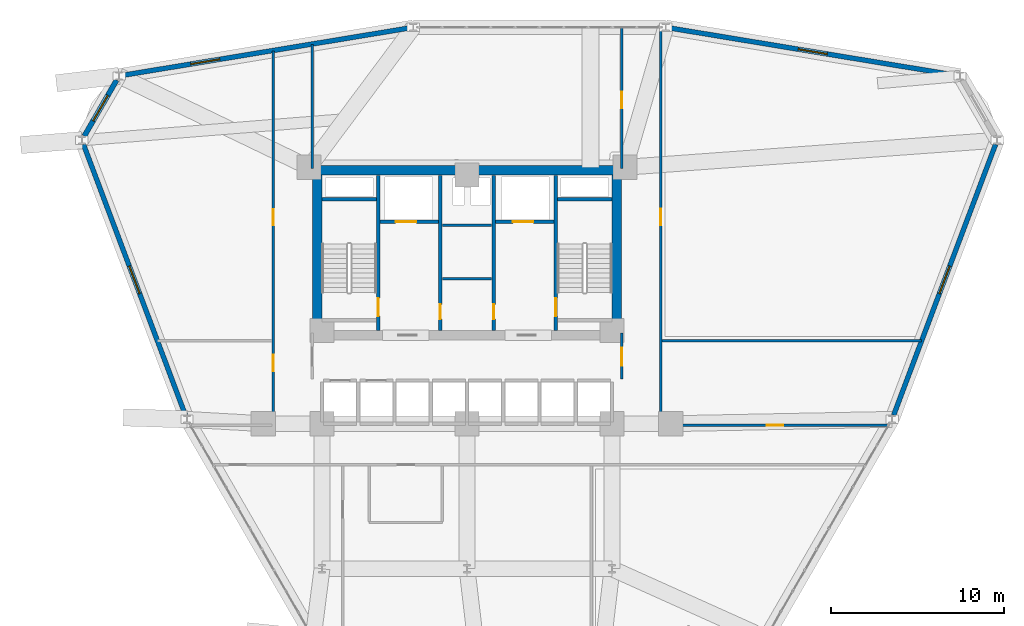
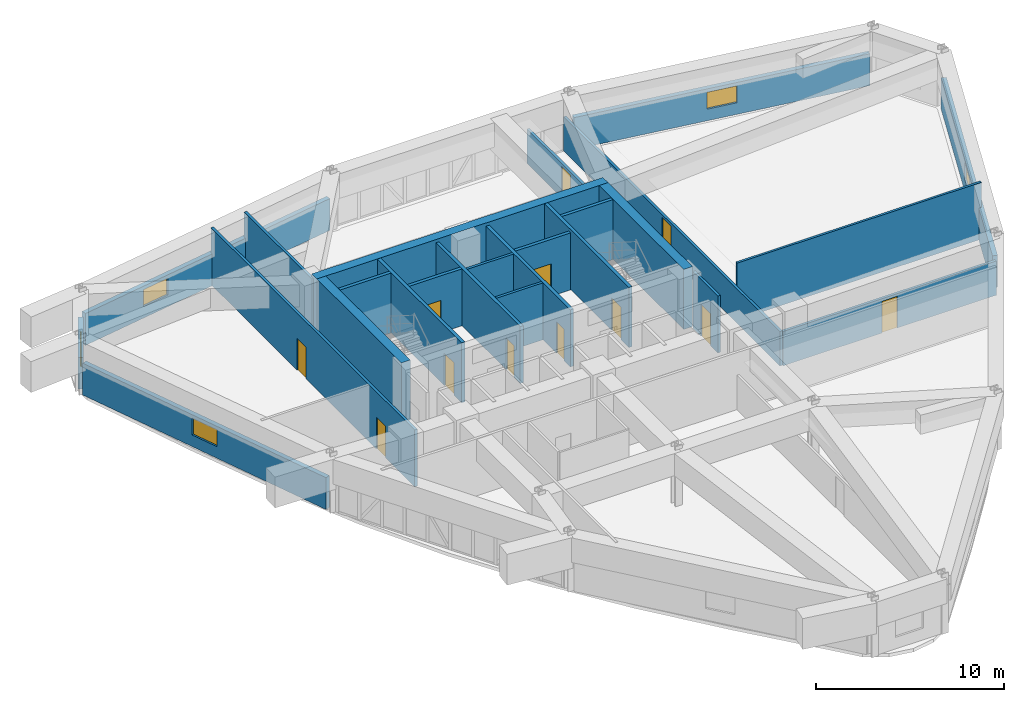
# One storey, part 15 of 18: 25 walls, 12 doors, 5 windows, 17 openings.
"""IFC4 building model written with IfcOpenShell, lengths in metres."""

import ifcopenshell
import ifcopenshell.guid

model = None  # the IFC model being written
_history = None  # IfcOwnerHistory: only IFC2X3 demands one
_inside = {}  # id of a spatial element -> (the spatial element, [elements in it])
_under = {}  # id of a project, library or spatial element -> (it, [spatial elements below it])
_declared = {}  # id of a project -> (the project, [libraries it declares])
_typed = {}  # id of a type object -> (the type object, [elements of that type])
_made_of = {}  # id of a material, layer set ... -> (it, [elements and type objects made of it])


def new_model(schema):
    """Start an empty IFC model of exactly this schema.

    Asked for "IFC4X3", IfcOpenShell would pick the latest addendum, in which some entities
    have other attributes; the version numbers below select the first issue.
    IFC2X3 requires an IfcOwnerHistory on every rooted entity: one is made here for all.
    """
    global model, _history
    if schema == "IFC4X3":
        model = ifcopenshell.file(schema_version=(4, 3, 0, 0))
    else:
        model = ifcopenshell.file(schema=schema)
    _inside.clear()
    _under.clear()
    _declared.clear()
    _typed.clear()
    _made_of.clear()
    _history = None
    if model.schema == "IFC2X3":
        org = make("IfcOrganization", Name="unknown")
        user = make(
            "IfcPersonAndOrganization",
            ThePerson=make("IfcPerson", FamilyName="unknown"),
            TheOrganization=org,
        )
        app = make(
            "IfcApplication",
            ApplicationDeveloper=org,
            Version="unknown",
            ApplicationFullName="unknown",
            ApplicationIdentifier="unknown",
        )
        _history = make(
            "IfcOwnerHistory",
            OwningUser=user,
            OwningApplication=app,
            ChangeAction="ADDED",
            CreationDate=0,
        )
    return model


def make(cls, **values):
    """One entity of the class cls with the attributes given. An attribute that is None is left unset."""
    return model.create_entity(
        cls, **{name: value for name, value in values.items() if value is not None}
    )


def rooted(cls, **values):
    """An entity with a GlobalId (a new one), such as an element, a storey or a relation."""
    return make(cls, GlobalId=ifcopenshell.guid.new(), OwnerHistory=_history, **values)


def si_unit(unit_type, name, prefix=None):
    """IfcSIUnit, for example si_unit("LENGTHUNIT", "METRE", prefix="MILLI")."""
    return make("IfcSIUnit", UnitType=unit_type, Prefix=prefix, Name=name)


def derived_unit(unit_type, elements):
    """IfcDerivedUnit: a product of units, each with its exponent."""
    return make(
        "IfcDerivedUnit",
        Elements=[
            make("IfcDerivedUnitElement", Unit=unit, Exponent=power)
            for unit, power in elements
        ],
        UnitType=unit_type,
    )


def assignment(units):
    """IfcUnitAssignment: the units of a project."""
    return None if units is None else make("IfcUnitAssignment", Units=units)


def point(xyz):
    """IfcCartesianPoint."""
    return None if xyz is None else make("IfcCartesianPoint", Coordinates=xyz)


def direction(xyz):
    """IfcDirection."""
    return None if xyz is None else make("IfcDirection", DirectionRatios=xyz)


def frame(location, z_axis=None, x_axis=None):
    """IfcAxis2Placement3D, a coordinate frame: its origin and axes. An axis left out is left unset."""
    return make(
        "IfcAxis2Placement3D",
        Location=point(location),
        Axis=direction(z_axis),
        RefDirection=direction(x_axis),
    )


def frame_2d(location, x_axis=None):
    """IfcAxis2Placement2D, a coordinate frame in the plane: its origin and x axis."""
    return make(
        "IfcAxis2Placement2D", Location=point(location), RefDirection=direction(x_axis)
    )


def origin():
    """The frame at (0, 0, 0) with its axes left unset."""
    return frame((0.0, 0.0, 0.0))


def place(relative_to, where):
    """IfcLocalPlacement: puts the frame where relative to a parent placement (None: the world)."""
    return make(
        "IfcLocalPlacement", PlacementRelTo=relative_to, RelativePlacement=where
    )


def context(
    kind, dimensions, precision=None, world=None, true_north=None, identifier=None
):
    """IfcGeometricRepresentationContext, for example the 3D "Model" context."""
    return make(
        "IfcGeometricRepresentationContext",
        ContextIdentifier=identifier,
        ContextType=kind,
        CoordinateSpaceDimension=dimensions,
        Precision=precision,
        WorldCoordinateSystem=world,
        TrueNorth=true_north,
    )


def subcontext(parent, identifier, kind, view, scale=None):
    """IfcGeometricRepresentationSubContext, for example "Body" below "Model"."""
    return make(
        "IfcGeometricRepresentationSubContext",
        ContextIdentifier=identifier,
        ContextType=kind,
        ParentContext=parent,
        TargetScale=scale,
        TargetView=view,
    )


def project(units=None, contexts=None):
    """IfcProject with its units and contexts."""
    return rooted(
        "IfcProject",
        Name="project",
        RepresentationContexts=contexts,
        UnitsInContext=assignment(units),
    )


def spatial(cls, under=None, at=None, **own):
    """A site, building, storey or space (cls), placed at a placement, below another one or the project."""
    s = rooted(cls, ObjectPlacement=at, **own)
    if under is not None:
        _under.setdefault(under.id(), (under, []))[1].append(s)
    return s


def profile(cls, at=None, kind="AREA", **sizes):
    """A parametric profile (cls). Its sizes go by their IFC names, for example OverallWidth=200.0."""
    return make(cls, ProfileType=kind, Position=at, **sizes)


def rectangle(**sizes):
    """IfcRectangleProfileDef."""
    return profile("IfcRectangleProfileDef", **sizes)


def extrude(swept, where, along, depth):
    """IfcExtrudedAreaSolid: the profile swept, set in the frame where, extruded along a direction by depth."""
    return make(
        "IfcExtrudedAreaSolid",
        SweptArea=swept,
        Position=where,
        ExtrudedDirection=direction(along),
        Depth=depth,
    )


def shape(context_of_items, identifier, shape_type, items):
    """IfcShapeRepresentation: the items that make up one representation, for example the "Body"."""
    return make(
        "IfcShapeRepresentation",
        ContextOfItems=context_of_items,
        RepresentationIdentifier=identifier,
        RepresentationType=shape_type,
        Items=items,
    )


def material(Name=None, Category=None):
    """IfcMaterial."""
    return make("IfcMaterial", Name=Name, Category=Category)


def layer(
    of_material, thickness, ventilated=None, Name=None, Category=None, Priority=None
):
    """IfcMaterialLayer: one layer of a wall or slab, of a material (None: an air gap)."""
    return make(
        "IfcMaterialLayer",
        Material=of_material,
        LayerThickness=thickness,
        IsVentilated=ventilated,
        Name=Name,
        Category=Category,
        Priority=Priority,
    )


def layer_set(layers, Name=None):
    """IfcMaterialLayerSet."""
    return make("IfcMaterialLayerSet", MaterialLayers=layers, LayerSetName=Name)


def made_of(thing, what):
    """Note that an element or type object is made of a material, layer set ...; save() writes the relation."""
    if what is not None:
        _made_of.setdefault(what.id(), (what, []))[1].append(thing)
    return thing


def type_object(cls, material=None, **own):
    """A type object (cls), such as IfcWallType, which elements share."""
    return made_of(rooted(cls, **own), material)


def element(
    cls,
    number,
    at=None,
    inside=None,
    cuts=None,
    type_object=None,
    material=None,
    context=None,
    identifier="Body",
    shape_type=None,
    held_by="IfcProductDefinitionShape",
    body=None,
    shapes=None,
    **own,
):
    """One element of the class cls, such as IfcWall. Its Tag is "e" and its number.

    at: its placement. inside: the storey or other place that contains it. cuts: it is an
    opening in that element (IfcRelVoidsElement). A single representation is given by context,
    identifier, shape_type and body (its items); several are given by shapes. held_by: the class
    of the entity that holds the representations. save() writes the other relations.
    """
    e = rooted(cls, Tag="e%d" % number, ObjectPlacement=at, **own)
    if body is not None:
        shapes = [shape(context, identifier, shape_type, body)]
    if shapes is not None:
        e.Representation = make(held_by, Representations=shapes)
    if inside is not None:
        _inside.setdefault(inside.id(), (inside, []))[1].append(e)
    if cuts is not None:
        rooted(
            "IfcRelVoidsElement", RelatingBuildingElement=cuts, RelatedOpeningElement=e
        )
    if type_object is not None:
        _typed.setdefault(type_object.id(), (type_object, []))[1].append(e)
    return made_of(e, material)


def fill(opening, filler):
    """IfcRelFillsElement: the door or window that sits in an opening."""
    return rooted(
        "IfcRelFillsElement",
        RelatingOpeningElement=opening,
        RelatedBuildingElement=filler,
    )


def aggregate(whole, parts):
    """IfcRelAggregates: a whole, such as a stair, and the parts it consists of."""
    return rooted("IfcRelAggregates", RelatingObject=whole, RelatedObjects=parts)


def save(model, path):
    """Write the relations noted so far, then the file.

    IfcRelAggregates (storeys below a building ...), IfcRelContainedInSpatialStructure (elements
    in a storey), IfcRelDefinesByType, IfcRelAssociatesMaterial and IfcRelDeclares: one each for
    every whole, place, type object, material and project.
    """
    for whole, parts in _under.values():
        aggregate(whole, parts)
    for where, things in _inside.values():
        rooted(
            "IfcRelContainedInSpatialStructure",
            RelatedElements=things,
            RelatingStructure=where,
        )
    for kind, things in _typed.values():
        rooted("IfcRelDefinesByType", RelatedObjects=things, RelatingType=kind)
    for what, things in _made_of.values():
        rooted("IfcRelAssociatesMaterial", RelatedObjects=things, RelatingMaterial=what)
    for by, libraries in _declared.values():
        rooted("IfcRelDeclares", RelatingContext=by, RelatedDefinitions=libraries)
    model.write(path)


model = new_model("IFC4")

# Units and contexts
model_context = context("Model", 3, precision=1e-05, world=origin(), true_north=direction((0.0, 1.0)))
body_context = subcontext(model_context, "Body", "Model", "MODEL_VIEW")
ifc_project = project(units=[si_unit("LENGTHUNIT", "METRE"), si_unit("AREAUNIT", "SQUARE_METRE"), si_unit("VOLUMEUNIT", "CUBIC_METRE"), si_unit("PLANEANGLEUNIT", "RADIAN"), si_unit("MASSUNIT", "GRAM", prefix="KILO"), derived_unit("THERMALTRANSMITTANCEUNIT", [(si_unit("POWERUNIT", "WATT"), 1), (si_unit("LENGTHUNIT", "METRE"), -2), (si_unit("THERMODYNAMICTEMPERATUREUNIT", "KELVIN"), -1)])], contexts=[model_context])

# Site, building, storey
site_placement = place(None, origin())
site = spatial("IfcSite", under=ifc_project, at=site_placement, CompositionType="ELEMENT")
building_placement = place(site_placement, origin())
building = spatial("IfcBuilding", under=site, at=building_placement, Name="Korsvarv Bourse and Concert Hall", CompositionType="ELEMENT")
storey_placement = place(building_placement, frame((0.0, 0.0, 95.10009765625)))
storey = spatial("IfcBuildingStorey", under=building, at=storey_placement, Name="L23", CompositionType="ELEMENT", Elevation=95.10009765625)

# Wall, opening, door
ifc_material_1 = material(Name="Concrete C50/60", Category="concrete")
ifc_layer_1 = layer(ifc_material_1, 0.3798828125)
ifc_layer_set_1 = layer_set([ifc_layer_1], Name="Concrete C50/60")
wall_type_1 = type_object("IfcWallType", Name="WL-CORE-380", PredefinedType="SHEAR", material=ifc_layer_set_1)
wall_1_placement = place(storey_placement, frame((30.860107421875, 37.81005859375, 0.0), z_axis=(0.0, 0.0, 1.0), x_axis=(0.0, 1.0, 0.0)))
wall_1 = element("IfcWall", 1, at=wall_1_placement, inside=storey, type_object=wall_type_1, Name="L23 stair shaft structural wall W-L23-ST1-E", PredefinedType="SHEAR", context=body_context, shape_type="SweptSolid", body=[
    extrude(rectangle(XDim=8.97998046875, YDim=0.199951171875, at=frame_2d((4.489990234375, 0.0))), origin(), (0.0, 0.0, 1.0), 3.89990234375),
])
opening_1_placement = place(wall_1_placement, frame((0.820068359375, 0.0, 0.0)))
opening_1 = element("IfcOpeningElement", 2, at=opening_1_placement, cuts=wall_1, Name="Opening D-01", PredefinedType="OPENING", context=body_context, shape_type="SweptSolid", body=[
    extrude(rectangle(XDim=1.050048828125, YDim=2.10009765625, at=frame_2d((0.52490234375, 1.050048828125))), frame((0.0, 0.10986328125, 0.0), z_axis=(0.0, -1.0, 0.0), x_axis=(1.0, 0.0, 0.0)), (0.0, 0.0, 1.0), 0.219970703125),
])
ifc_material_2 = material(Name="Steel S355 fire door", Category="steel")
door_type_1 = type_object("IfcDoorType", Name="DR-FD60", OperationType="NOTDEFINED", PredefinedType="DOOR", material=ifc_material_2)
door_1_placement = place(opening_1_placement, origin())
door_1 = element("IfcDoor", 3, at=door_1_placement, inside=storey, type_object=door_type_1, Name="L23 interior door DR-L23-ST1", OperationType="SINGLE_SWING_LEFT", OverallHeight=2.10009765625, OverallWidth=1.050048828125, PredefinedType="DOOR", context=body_context, shape_type="SweptSolid", body=[
    extrude(rectangle(XDim=1.050048828125, YDim=2.10009765625, at=frame_2d((0.52490234375, 1.050048828125))), frame((0.0, 0.02490234375, 0.0), z_axis=(0.0, -1.0, 0.0), x_axis=(1.0, 0.0, 0.0)), (0.0, 0.0, 1.0), 0.050048828125),
])
fill(opening_1, door_1)

# Wall
wall_2_placement = place(storey_placement, frame((27.610107421875, 45.39990234375, 0.0), z_axis=(0.0, 0.0, 1.0), x_axis=(1.0, 0.0, 0.0)))
element("IfcWall", 4, at=wall_2_placement, inside=storey, type_object=wall_type_1, Name="L23 stair shaft structural wall W-L23-ST1-N", PredefinedType="SHEAR", context=body_context, shape_type="SweptSolid", body=[
    extrude(rectangle(XDim=3.139892578125, YDim=0.199951171875, at=frame_2d((1.56982421875, 0.0))), origin(), (0.0, 0.0, 1.0), 3.89990234375),
])

# Wall, opening, door
wall_3_placement = place(storey_placement, frame((41.139892578125, 37.81005859375, 0.0), z_axis=(0.0, 0.0, 1.0), x_axis=(0.0, 1.0, 0.0)))
wall_3 = element("IfcWall", 5, at=wall_3_placement, inside=storey, type_object=wall_type_1, Name="L23 stair shaft structural wall W-L23-ST2-W", PredefinedType="SHEAR", context=body_context, shape_type="SweptSolid", body=[
    extrude(rectangle(XDim=8.97998046875, YDim=0.199951171875, at=frame_2d((4.489990234375, 0.0))), origin(), (0.0, 0.0, 1.0), 3.89990234375),
])
opening_2_placement = place(wall_3_placement, frame((0.820068359375, 0.0, 0.0)))
opening_2 = element("IfcOpeningElement", 6, at=opening_2_placement, cuts=wall_3, Name="Opening D-01", PredefinedType="OPENING", context=body_context, shape_type="SweptSolid", body=[
    extrude(rectangle(XDim=1.050048828125, YDim=2.10009765625, at=frame_2d((0.52490234375, 1.050048828125))), frame((0.0, 0.10986328125, 0.0), z_axis=(0.0, -1.0, 0.0), x_axis=(1.0, 0.0, 0.0)), (0.0, 0.0, 1.0), 0.219970703125),
])
door_2_placement = place(opening_2_placement, frame((1.050048828125, 0.0, 0.0), z_axis=(0.0, 0.0, 1.0), x_axis=(-1.0, 0.0, 0.0)))
door_2 = element("IfcDoor", 7, at=door_2_placement, inside=storey, type_object=door_type_1, Name="L23 interior door DR-L23-ST2", OperationType="SINGLE_SWING_RIGHT", OverallHeight=2.10009765625, OverallWidth=1.050048828125, PredefinedType="DOOR", context=body_context, shape_type="SweptSolid", body=[
    extrude(rectangle(XDim=1.050048828125, YDim=2.10009765625, at=frame_2d((0.52490234375, 1.050048828125))), frame((0.0, 0.02490234375, 0.0), z_axis=(0.0, -1.0, 0.0), x_axis=(1.0, 0.0, 0.0)), (0.0, 0.0, 1.0), 0.050048828125),
])
fill(opening_2, door_2)

# Walls
wall_4_placement = place(storey_placement, frame((41.25, 45.39990234375, 0.0), z_axis=(0.0, 0.0, 1.0), x_axis=(1.0, 0.0, 0.0)))
element("IfcWall", 8, at=wall_4_placement, inside=storey, type_object=wall_type_1, Name="L23 stair shaft structural wall W-L23-ST2-N", PredefinedType="SHEAR", context=body_context, shape_type="SweptSolid", body=[
    extrude(rectangle(XDim=3.139892578125, YDim=0.199951171875, at=frame_2d((1.56982421875, 0.0))), origin(), (0.0, 0.0, 1.0), 3.89990234375),
])
ifc_material_3 = material(Name="Concrete C60/75", Category="concrete")
ifc_layer_2 = layer(ifc_material_3, 0.550048828125)
ifc_layer_set_2 = layer_set([ifc_layer_2], Name="Concrete C60/75")
wall_type_2 = type_object("IfcWallType", Name="WL-CORE-550", PredefinedType="SHEAR", material=ifc_layer_set_2)
wall_5_placement = place(storey_placement, frame((27.050048828125, 47.074951171875, 0.0), z_axis=(0.0, 0.0, 1.0), x_axis=(1.0, 0.0, 0.0)))
element("IfcWall", 9, at=wall_5_placement, inside=storey, type_object=wall_type_2, Name="L23 North Core Shear Wall", PredefinedType="SHEAR", context=body_context, shape_type="SweptSolid", body=[
    extrude(rectangle(XDim=17.89990234375, YDim=0.550048828125, at=frame_2d((8.949951171875, 0.0))), origin(), (0.0, 0.0, 1.0), 3.89990234375),
])
for number, where, z_axis, x_axis, name in (
    (10, (27.324951171875, 37.800048828125, 0.0), (0.0, 0.0, 1.0), (0.0, 1.0, 0.0), "L23 West Core Shear Wall"),
    (11, (44.675048828125, 37.800048828125, 0.0), (0.0, 0.0, 1.0), (0.0, 1.0, 0.0), "L23 East Core Shear Wall"),
):
    element("IfcWall", number, at=place(storey_placement, frame(where, z_axis=z_axis, x_axis=x_axis)), inside=storey, type_object=wall_type_2, Name=name, PredefinedType="SHEAR", context=body_context, shape_type="SweptSolid", body=[
        extrude(rectangle(XDim=9.0, YDim=0.550048828125, at=frame_2d((4.5, 0.0))), origin(), (0.0, 0.0, 1.0), 3.89990234375),
    ])

# Wall, opening, window
ifc_material_4 = material(Name="Precast concrete C45/55 with terracotta rainscreen", Category="concrete")
ifc_layer_3 = layer(ifc_material_4, 0.300048828125)
ifc_layer_set_3 = layer_set([ifc_layer_3], Name="Precast concrete C45/55 with terracotta rainscreen")
wall_type_3 = type_object("IfcWallType", Name="WL-EXT-TC1", PredefinedType="SOLIDWALL", material=ifc_layer_set_3)
wall_6_placement = place(storey_placement, frame((15.705810546875, 52.30224609375, 0.0), z_axis=(0.0, 0.0, 1.0), x_axis=(-0.500012356405, -0.866018269693, 0.0)))
wall_6 = element("IfcWall", 12, at=wall_6_placement, inside=storey, type_object=wall_type_3, Name="L23 terracotta exterior wall EW-L23-B05", PredefinedType="SOLIDWALL", context=body_context, shape_type="SweptSolid", body=[
    extrude(rectangle(XDim=3.7421875, YDim=0.300048828125, at=frame_2d((1.87109375, 0.0))), origin(), (0.0, 0.0, 1.0), 2.06982421875),
])
opening_3_placement = place(wall_6_placement, frame((1.02099609375, 0.0, 0.75)))
opening_3 = element("IfcOpeningElement", 13, at=opening_3_placement, cuts=wall_6, Name="Opening W-07", PredefinedType="OPENING", context=body_context, shape_type="SweptSolid", body=[
    extrude(rectangle(XDim=1.699951171875, YDim=1.10009765625, at=frame_2d((0.85009765625, 0.550048828125))), frame((0.0, 0.16015625, 0.0), z_axis=(0.0, -1.0, 0.0), x_axis=(1.0, 0.0, 0.0)), (0.0, 0.0, 1.0), 0.320068359375),
])
ifc_material_5 = material(Name="Thermally broken aluminium frame with triple low-E glass", Category="glass")
window_type = type_object("IfcWindowType", Name="WIN-TW1-1700X1100", PartitioningType="SINGLE_PANEL", PredefinedType="WINDOW", material=ifc_material_5)
window_1_placement = place(opening_3_placement, origin())
window_1 = element("IfcWindow", 14, at=window_1_placement, inside=storey, type_object=window_type, Name="L23 punched facade window W-07", OverallHeight=1.10009765625, OverallWidth=1.699951171875, PartitioningType="SINGLE_PANEL", PredefinedType="WINDOW", context=body_context, shape_type="SweptSolid", body=[
    extrude(rectangle(XDim=1.699951171875, YDim=1.10009765625, at=frame_2d((0.85009765625, 0.550048828125))), frame((0.0, 0.030029296875, 0.0), z_axis=(0.0, -1.0, 0.0), x_axis=(1.0, 0.0, 0.0)), (0.0, 0.0, 1.0), 0.06005859375),
])
fill(opening_3, window_1)

ifc_material_6 = material(Name="Precast concrete C45/55 with fluted terracotta pier", Category="concrete")
ifc_layer_4 = layer(ifc_material_6, 0.280029296875)
ifc_layer_set_4 = layer_set([ifc_layer_4], Name="Precast concrete C45/55 with fluted terracotta pier")
wall_type_4 = type_object("IfcWallType", Name="WL-EXT-TC2", PredefinedType="SOLIDWALL", material=ifc_layer_set_4)
wall_7_placement = place(storey_placement, frame((64.33740234375, 52.580078125, 0.0), z_axis=(0.0, 0.0, 1.0), x_axis=(-0.986649040197, 0.162860896097, 0.0)))
wall_7 = element("IfcWall", 15, at=wall_7_placement, inside=storey, type_object=wall_type_4, Name="L23 terracotta exterior wall EW-L23-B02", PredefinedType="SOLIDWALL", context=body_context, shape_type="SweptSolid", body=[
    extrude(rectangle(XDim=16.836181640625, YDim=0.280029296875, at=frame_2d((8.41796875, 0.0))), origin(), (0.0, 0.0, 1.0), 2.06982421875),
])
opening_4_placement = place(wall_7_placement, frame((7.568115234375, 0.0, 0.75)))
opening_4 = element("IfcOpeningElement", 16, at=opening_4_placement, cuts=wall_7, Name="Opening W-07", PredefinedType="OPENING", context=body_context, shape_type="SweptSolid", body=[
    extrude(rectangle(XDim=1.699951171875, YDim=1.10009765625, at=frame_2d((0.85009765625, 0.550048828125))), frame((0.0, 0.14990234375, 0.0), z_axis=(0.0, -1.0, 0.0), x_axis=(1.0, 0.0, 0.0)), (0.0, 0.0, 1.0), 0.300048828125),
])
window_2_placement = place(opening_4_placement, origin())
window_2 = element("IfcWindow", 17, at=window_2_placement, inside=storey, type_object=window_type, Name="L23 punched facade window W-07", OverallHeight=1.10009765625, OverallWidth=1.699951171875, PartitioningType="SINGLE_PANEL", PredefinedType="WINDOW", context=body_context, shape_type="SweptSolid", body=[
    extrude(rectangle(XDim=1.699951171875, YDim=1.10009765625, at=frame_2d((0.85009765625, 0.550048828125))), frame((0.0, 0.030029296875, 0.0), z_axis=(0.0, -1.0, 0.0), x_axis=(1.0, 0.0, 0.0)), (0.0, 0.0, 1.0), 0.06005859375),
])
fill(opening_4, window_2)

wall_8_placement = place(storey_placement, frame((32.674072265625, 55.322021484375, 0.0), z_axis=(0.0, 0.0, 1.0), x_axis=(-0.986649424809, -0.162858566012, 0.0)))
wall_8 = element("IfcWall", 18, at=wall_8_placement, inside=storey, type_object=wall_type_4, Name="L23 terracotta exterior wall EW-L23-B04", PredefinedType="SOLIDWALL", context=body_context, shape_type="SweptSolid", body=[
    extrude(rectangle(XDim=16.83642578125, YDim=0.280029296875, at=frame_2d((8.418212890625, 0.0))), origin(), (0.0, 0.0, 1.0), 2.06982421875),
])
opening_5_placement = place(wall_8_placement, frame((11.152099609375, 0.0, 0.75)))
opening_5 = element("IfcOpeningElement", 19, at=opening_5_placement, cuts=wall_8, Name="Opening W-07", PredefinedType="OPENING", context=body_context, shape_type="SweptSolid", body=[
    extrude(rectangle(XDim=1.699951171875, YDim=1.10009765625, at=frame_2d((0.85009765625, 0.550048828125))), frame((0.0, 0.14990234375, 0.0), z_axis=(0.0, -1.0, 0.0), x_axis=(1.0, 0.0, 0.0)), (0.0, 0.0, 1.0), 0.300048828125),
])
window_3_placement = place(opening_5_placement, origin())
window_3 = element("IfcWindow", 20, at=window_3_placement, inside=storey, type_object=window_type, Name="L23 punched facade window W-07", OverallHeight=1.10009765625, OverallWidth=1.699951171875, PartitioningType="SINGLE_PANEL", PredefinedType="WINDOW", context=body_context, shape_type="SweptSolid", body=[
    extrude(rectangle(XDim=1.699951171875, YDim=1.10009765625, at=frame_2d((0.85009765625, 0.550048828125))), frame((0.0, 0.030029296875, 0.0), z_axis=(0.0, -1.0, 0.0), x_axis=(1.0, 0.0, 0.0)), (0.0, 0.0, 1.0), 0.06005859375),
])
fill(opening_5, window_3)

wall_9_placement = place(storey_placement, frame((13.7861328125, 48.577392578125, 0.0), z_axis=(0.0, 0.0, 1.0), x_axis=(0.352279020809, -0.935895021622, 0.0)))
wall_9 = element("IfcWall", 21, at=wall_9_placement, inside=storey, type_object=wall_type_4, Name="L23 terracotta exterior wall EW-L23-B06", PredefinedType="SOLIDWALL", context=body_context, shape_type="SweptSolid", body=[
    extrude(rectangle(XDim=16.7587890625, YDim=0.280029296875, at=frame_2d((8.37939453125, 0.0))), origin(), (0.0, 0.0, 1.0), 2.06982421875),
])
opening_6_placement = place(wall_9_placement, frame((7.529541015625, 0.0, 0.75)))
opening_6 = element("IfcOpeningElement", 22, at=opening_6_placement, cuts=wall_9, Name="Opening W-07", PredefinedType="OPENING", context=body_context, shape_type="SweptSolid", body=[
    extrude(rectangle(XDim=1.699951171875, YDim=1.10009765625, at=frame_2d((0.85009765625, 0.550048828125))), frame((0.0, 0.14990234375, 0.0), z_axis=(0.0, -1.0, 0.0), x_axis=(1.0, 0.0, 0.0)), (0.0, 0.0, 1.0), 0.300048828125),
])
window_4_placement = place(opening_6_placement, origin())
window_4 = element("IfcWindow", 23, at=window_4_placement, inside=storey, type_object=window_type, Name="L23 punched facade window W-07", OverallHeight=1.10009765625, OverallWidth=1.699951171875, PartitioningType="SINGLE_PANEL", PredefinedType="WINDOW", context=body_context, shape_type="SweptSolid", body=[
    extrude(rectangle(XDim=1.699951171875, YDim=1.10009765625, at=frame_2d((0.85009765625, 0.550048828125))), frame((0.0, 0.030029296875, 0.0), z_axis=(0.0, -1.0, 0.0), x_axis=(1.0, 0.0, 0.0)), (0.0, 0.0, 1.0), 0.06005859375),
])
fill(opening_6, window_4)

wall_10_placement = place(storey_placement, frame((60.7099609375, 32.892822265625, 0.0), z_axis=(0.0, 0.0, 1.0), x_axis=(0.352291780657, 0.935890218605, 0.0)))
wall_10 = element("IfcWall", 24, at=wall_10_placement, inside=storey, type_object=wall_type_4, Name="L23 terracotta exterior wall EW-L23-B12", PredefinedType="SOLIDWALL", context=body_context, shape_type="SweptSolid", body=[
    extrude(rectangle(XDim=16.759033203125, YDim=0.280029296875, at=frame_2d((8.37939453125, 0.0))), origin(), (0.0, 0.0, 1.0), 2.06982421875),
])
opening_7_placement = place(wall_10_placement, frame((7.529541015625, 0.0, 0.75)))
opening_7 = element("IfcOpeningElement", 25, at=opening_7_placement, cuts=wall_10, Name="Opening W-07", PredefinedType="OPENING", context=body_context, shape_type="SweptSolid", body=[
    extrude(rectangle(XDim=1.699951171875, YDim=1.10009765625, at=frame_2d((0.85009765625, 0.550048828125))), frame((0.0, 0.14990234375, 0.0), z_axis=(0.0, -1.0, 0.0), x_axis=(1.0, 0.0, 0.0)), (0.0, 0.0, 1.0), 0.300048828125),
])
window_5_placement = place(opening_7_placement, origin())
window_5 = element("IfcWindow", 26, at=window_5_placement, inside=storey, type_object=window_type, Name="L23 punched facade window W-07", OverallHeight=1.10009765625, OverallWidth=1.699951171875, PartitioningType="SINGLE_PANEL", PredefinedType="WINDOW", context=body_context, shape_type="SweptSolid", body=[
    extrude(rectangle(XDim=1.699951171875, YDim=1.10009765625, at=frame_2d((0.85009765625, 0.550048828125))), frame((0.0, 0.030029296875, 0.0), z_axis=(0.0, -1.0, 0.0), x_axis=(1.0, 0.0, 0.0)), (0.0, 0.0, 1.0), 0.06005859375),
])
fill(opening_7, window_5)

# Wall, opening, door
ifc_material_7 = material(Name="Reinforced concrete blockwork C35/45 fire wall", Category="concrete")
ifc_layer_5 = layer(ifc_material_7, 0.199951171875)
ifc_layer_set_5 = layer_set([ifc_layer_5], Name="Reinforced concrete blockwork C35/45 fire wall")
wall_type_5 = type_object("IfcWallType", Name="WL-INT-EI120", PredefinedType="PARTITIONING", material=ifc_layer_set_5)
wall_11_placement = place(storey_placement, frame((30.969970703125, 44.10009765625, 0.0), z_axis=(0.0, 0.0, 1.0), x_axis=(1.0, 0.0, 0.0)))
wall_11 = element("IfcWall", 27, at=wall_11_placement, inside=storey, type_object=wall_type_5, Name="L23 interior partition wall W-L23-FF1-S", PredefinedType="PARTITIONING", context=body_context, shape_type="SweptSolid", body=[
    extrude(rectangle(XDim=3.380126953125, YDim=0.199951171875, at=frame_2d((1.68994140625, 0.0))), origin(), (0.0, 0.0, 1.0), 3.699951171875),
])
opening_8_placement = place(wall_11_placement, frame((0.89990234375, 0.0, 0.0)))
opening_8 = element("IfcOpeningElement", 28, at=opening_8_placement, cuts=wall_11, Name="Opening LD-1", PredefinedType="OPENING", context=body_context, shape_type="SweptSolid", body=[
    extrude(rectangle(XDim=1.199951171875, YDim=2.10009765625, at=frame_2d((0.60009765625, 1.050048828125))), frame((0.0, 0.10986328125, 0.0), z_axis=(0.0, -1.0, 0.0), x_axis=(1.0, 0.0, 0.0)), (0.0, 0.0, 1.0), 0.219970703125),
])
ifc_material_8 = material(Name="Stainless Steel S355 firefighting lift landing door", Category="steel")
door_type_2 = type_object("IfcDoorType", Name="DR-LIFT-FF", OperationType="DOUBLE_DOOR_SLIDING", PredefinedType="DOOR", material=ifc_material_8)
door_3_placement = place(opening_8_placement, origin())
door_3 = element("IfcDoor", 29, at=door_3_placement, inside=storey, type_object=door_type_2, Name="L23 lift sliding landing door LD-L23-FF1", OperationType="DOUBLE_DOOR_SLIDING", OverallHeight=2.10009765625, OverallWidth=1.199951171875, PredefinedType="DOOR", context=body_context, shape_type="SweptSolid", body=[
    extrude(rectangle(XDim=1.199951171875, YDim=2.10009765625, at=frame_2d((0.60009765625, 1.050048828125))), frame((0.0, 0.02490234375, 0.0), z_axis=(0.0, -1.0, 0.0), x_axis=(1.0, 0.0, 0.0)), (0.0, 0.0, 1.0), 0.050048828125),
])
fill(opening_8, door_3)

wall_12_placement = place(storey_placement, frame((37.64990234375, 44.10009765625, 0.0), z_axis=(0.0, 0.0, 1.0), x_axis=(1.0, 0.0, 0.0)))
wall_12 = element("IfcWall", 30, at=wall_12_placement, inside=storey, type_object=wall_type_5, Name="L23 interior partition wall W-L23-FF2-S", PredefinedType="PARTITIONING", context=body_context, shape_type="SweptSolid", body=[
    extrude(rectangle(XDim=3.380126953125, YDim=0.199951171875, at=frame_2d((1.68994140625, 0.0))), origin(), (0.0, 0.0, 1.0), 3.699951171875),
])
opening_9_placement = place(wall_12_placement, frame((1.0, 0.0, 0.0)))
opening_9 = element("IfcOpeningElement", 31, at=opening_9_placement, cuts=wall_12, Name="Opening LD-1", PredefinedType="OPENING", context=body_context, shape_type="SweptSolid", body=[
    extrude(rectangle(XDim=1.199951171875, YDim=2.10009765625, at=frame_2d((0.60009765625, 1.050048828125))), frame((0.0, 0.10986328125, 0.0), z_axis=(0.0, -1.0, 0.0), x_axis=(1.0, 0.0, 0.0)), (0.0, 0.0, 1.0), 0.219970703125),
])
door_4_placement = place(opening_9_placement, origin())
door_4 = element("IfcDoor", 32, at=door_4_placement, inside=storey, type_object=door_type_2, Name="L23 lift sliding landing door LD-L23-FF2", OperationType="DOUBLE_DOOR_SLIDING", OverallHeight=2.10009765625, OverallWidth=1.199951171875, PredefinedType="DOOR", context=body_context, shape_type="SweptSolid", body=[
    extrude(rectangle(XDim=1.199951171875, YDim=2.10009765625, at=frame_2d((0.60009765625, 1.050048828125))), frame((0.0, 0.02490234375, 0.0), z_axis=(0.0, -1.0, 0.0), x_axis=(1.0, 0.0, 0.0)), (0.0, 0.0, 1.0), 0.050048828125),
])
fill(opening_9, door_4)

wall_13_placement = place(storey_placement, frame((34.4599609375, 37.81005859375, 0.0), z_axis=(0.0, 0.0, 1.0), x_axis=(0.0, 1.0, 0.0)))
wall_13 = element("IfcWall", 33, at=wall_13_placement, inside=storey, type_object=wall_type_5, Name="L23 interior partition wall W-L23-CSB-W", PredefinedType="PARTITIONING", context=body_context, shape_type="SweptSolid", body=[
    extrude(rectangle(XDim=8.97998046875, YDim=0.199951171875, at=frame_2d((4.489990234375, 0.0))), origin(), (0.0, 0.0, 1.0), 3.699951171875),
])
opening_10_placement = place(wall_13_placement, frame((0.64990234375, 0.0, 0.0)))
opening_10 = element("IfcOpeningElement", 34, at=opening_10_placement, cuts=wall_13, Name="Opening D-05", PredefinedType="OPENING", context=body_context, shape_type="SweptSolid", body=[
    extrude(rectangle(XDim=0.85009765625, YDim=2.050048828125, at=frame_2d((0.425048828125, 1.02490234375))), frame((0.0, 0.10986328125, 0.0), z_axis=(0.0, -1.0, 0.0), x_axis=(1.0, 0.0, 0.0)), (0.0, 0.0, 1.0), 0.219970703125),
])
door_type_3 = type_object("IfcDoorType", Name="DR-FD60-850X2050", OperationType="NOTDEFINED", PredefinedType="DOOR", material=ifc_material_2)
door_5_placement = place(opening_10_placement, frame((0.85009765625, 0.0, 0.0), z_axis=(0.0, 0.0, 1.0), x_axis=(-1.0, 0.0, 0.0)))
door_5 = element("IfcDoor", 35, at=door_5_placement, inside=storey, type_object=door_type_3, Name="L23 interior door DR-L23-CSB1", OperationType="SINGLE_SWING_LEFT", OverallHeight=2.050048828125, OverallWidth=0.85009765625, PredefinedType="DOOR", context=body_context, shape_type="SweptSolid", body=[
    extrude(rectangle(XDim=0.85009765625, YDim=2.050048828125, at=frame_2d((0.425048828125, 1.02490234375))), frame((0.0, 0.02490234375, 0.0), z_axis=(0.0, -1.0, 0.0), x_axis=(1.0, 0.0, 0.0)), (0.0, 0.0, 1.0), 0.050048828125),
])
fill(opening_10, door_5)

wall_14_placement = place(storey_placement, frame((37.5400390625, 37.81005859375, 0.0), z_axis=(0.0, 0.0, 1.0), x_axis=(0.0, 1.0, 0.0)))
wall_14 = element("IfcWall", 36, at=wall_14_placement, inside=storey, type_object=wall_type_5, Name="L23 interior partition wall W-L23-CSB-E", PredefinedType="PARTITIONING", context=body_context, shape_type="SweptSolid", body=[
    extrude(rectangle(XDim=8.97998046875, YDim=0.199951171875, at=frame_2d((4.489990234375, 0.0))), origin(), (0.0, 0.0, 1.0), 3.699951171875),
])
opening_11_placement = place(wall_14_placement, frame((0.64990234375, 0.0, 0.0)))
opening_11 = element("IfcOpeningElement", 37, at=opening_11_placement, cuts=wall_14, Name="Opening D-05", PredefinedType="OPENING", context=body_context, shape_type="SweptSolid", body=[
    extrude(rectangle(XDim=0.85009765625, YDim=2.050048828125, at=frame_2d((0.425048828125, 1.02490234375))), frame((0.0, 0.10986328125, 0.0), z_axis=(0.0, -1.0, 0.0), x_axis=(1.0, 0.0, 0.0)), (0.0, 0.0, 1.0), 0.219970703125),
])
door_6_placement = place(opening_11_placement, origin())
door_6 = element("IfcDoor", 38, at=door_6_placement, inside=storey, type_object=door_type_3, Name="L23 interior door DR-L23-CSB2", OperationType="SINGLE_SWING_RIGHT", OverallHeight=2.050048828125, OverallWidth=0.85009765625, PredefinedType="DOOR", context=body_context, shape_type="SweptSolid", body=[
    extrude(rectangle(XDim=0.85009765625, YDim=2.050048828125, at=frame_2d((0.425048828125, 1.02490234375))), frame((0.0, 0.02490234375, 0.0), z_axis=(0.0, -1.0, 0.0), x_axis=(1.0, 0.0, 0.0)), (0.0, 0.0, 1.0), 0.050048828125),
])
fill(opening_11, door_6)

# Walls
ifc_material_9 = material(Name="Double-stud fire-rated acoustic partition", Category="gypsum")
ifc_layer_6 = layer(ifc_material_9, 0.159912109375)
ifc_layer_set_6 = layer_set([ifc_layer_6], Name="Double-stud fire-rated acoustic partition")
wall_type_6 = type_object("IfcWallType", Name="WL-INT-EI60", PredefinedType="PARTITIONING", material=ifc_layer_set_6)
for number, where, z_axis, x_axis, name in (
    (39, (34.570068359375, 40.800048828125, 0.0), (0.0, 0.0, 1.0), (1.0, 0.0, 0.0), "L23 interior partition wall W-L23-K1"),
    (40, (34.570068359375, 43.89990234375, 0.0), (0.0, 0.0, 1.0), (1.0, 0.0, 0.0), "L23 interior partition wall W-L23-K2"),
):
    element("IfcWall", number, at=place(storey_placement, frame(where, z_axis=z_axis, x_axis=x_axis)), inside=storey, type_object=wall_type_6, Name=name, PredefinedType="PARTITIONING", context=body_context, shape_type="SweptSolid", body=[
        extrude(rectangle(XDim=2.85986328125, YDim=0.159912109375, at=frame_2d((1.429931640625, 0.0))), origin(), (0.0, 0.0, 1.0), 3.699951171875),
    ])

# Wall, opening, door
wall_15_placement = place(storey_placement, frame((44.9599609375, 35.0, 0.0), z_axis=(0.0, 0.0, 1.0), x_axis=(0.0, 1.0, 0.0)))
wall_15 = element("IfcWall", 41, at=wall_15_placement, inside=storey, type_object=wall_type_6, Name="L23 interior partition wall W-L23-LOB-E", PredefinedType="PARTITIONING", context=body_context, shape_type="SweptSolid", body=[
    extrude(rectangle(XDim=2.64990234375, YDim=0.159912109375, at=frame_2d((1.324951171875, 0.0))), origin(), (0.0, 0.0, 1.0), 3.699951171875),
])
opening_12_placement = place(wall_15_placement, frame((0.75, 0.0, 0.0)))
opening_12 = element("IfcOpeningElement", 42, at=opening_12_placement, cuts=wall_15, Name="Opening D-01", PredefinedType="OPENING", context=body_context, shape_type="SweptSolid", body=[
    extrude(rectangle(XDim=1.050048828125, YDim=2.10009765625, at=frame_2d((0.52490234375, 1.050048828125))), frame((0.0, 0.08984375, 0.0), z_axis=(0.0, -1.0, 0.0), x_axis=(1.0, 0.0, 0.0)), (0.0, 0.0, 1.0), 0.179931640625),
])
door_7_placement = place(opening_12_placement, origin())
door_7 = element("IfcDoor", 43, at=door_7_placement, inside=storey, type_object=door_type_1, Name="L23 interior door DR-L23-LOBE", OperationType="SINGLE_SWING_RIGHT", OverallHeight=2.10009765625, OverallWidth=1.050048828125, PredefinedType="DOOR", context=body_context, shape_type="SweptSolid", body=[
    extrude(rectangle(XDim=1.050048828125, YDim=2.10009765625, at=frame_2d((0.52490234375, 1.050048828125))), frame((0.0, 0.02490234375, 0.0), z_axis=(0.0, -1.0, 0.0), x_axis=(1.0, 0.0, 0.0)), (0.0, 0.0, 1.0), 0.050048828125),
])
fill(opening_12, door_7)

wall_16_placement = place(storey_placement, frame((47.22509765625, 32.31005859375, 0.0), z_axis=(0.0, 0.0, 1.0), x_axis=(0.0, 1.0, 0.0)))
wall_16 = element("IfcWall", 44, at=wall_16_placement, inside=storey, type_object=wall_type_6, Name="L23 interior partition wall W-L23-TCOR-02", PredefinedType="PARTITIONING", context=body_context, shape_type="SweptSolid", body=[
    extrude(rectangle(XDim=23.02783203125, YDim=0.159912109375, at=frame_2d((11.513916015625, 0.0))), origin(), (0.0, 0.0, 1.0), 2.22998046875),
])
opening_13_placement = place(wall_16_placement, frame((11.590087890625, 0.0, 0.0)))
opening_13 = element("IfcOpeningElement", 45, at=opening_13_placement, cuts=wall_16, Name="Opening D-02", PredefinedType="OPENING", context=body_context, shape_type="SweptSolid", body=[
    extrude(rectangle(XDim=0.949951171875, YDim=2.050048828125, at=frame_2d((0.47509765625, 1.02490234375))), frame((0.0, 0.08984375, 0.0), z_axis=(0.0, -1.0, 0.0), x_axis=(1.0, 0.0, 0.0)), (0.0, 0.0, 1.0), 0.179931640625),
])
ifc_material_10 = material(Name="Timber and steel acoustic fire door", Category="wood")
door_type_4 = type_object("IfcDoorType", Name="DR-FD30", OperationType="NOTDEFINED", PredefinedType="DOOR", material=ifc_material_10)
door_8_placement = place(opening_13_placement, origin())
door_8 = element("IfcDoor", 46, at=door_8_placement, inside=storey, type_object=door_type_4, Name="L23 interior door DR-L23-TCOR-R072", OperationType="SINGLE_SWING_LEFT", OverallHeight=2.050048828125, OverallWidth=0.949951171875, PredefinedType="DOOR", context=body_context, shape_type="SweptSolid", body=[
    extrude(rectangle(XDim=0.949951171875, YDim=2.050048828125, at=frame_2d((0.47509765625, 1.02490234375))), frame((0.0, 0.02490234375, 0.0), z_axis=(0.0, -1.0, 0.0), x_axis=(1.0, 0.0, 0.0)), (0.0, 0.0, 1.0), 0.050048828125),
])
fill(opening_13, door_8)

# Wall, openings, doors
wall_17_placement = place(storey_placement, frame((24.77490234375, 32.31005859375, 0.0), z_axis=(0.0, 0.0, 1.0), x_axis=(0.0, 1.0, 0.0)))
wall_17 = element("IfcWall", 47, at=wall_17_placement, inside=storey, type_object=wall_type_6, Name="L23 interior partition wall W-L23-TCOR-03", PredefinedType="PARTITIONING", context=body_context, shape_type="SweptSolid", body=[
    extrude(rectangle(XDim=21.688232421875, YDim=0.159912109375, at=frame_2d((10.84423828125, 0.0))), origin(), (0.0, 0.0, 1.0), 3.699951171875),
])
opening_14_placement = place(wall_17_placement, frame((3.128173828125, 0.0, 0.0)))
opening_14 = element("IfcOpeningElement", 48, at=opening_14_placement, cuts=wall_17, Name="Opening D-02", PredefinedType="OPENING", context=body_context, shape_type="SweptSolid", body=[
    extrude(rectangle(XDim=0.949951171875, YDim=2.050048828125, at=frame_2d((0.47509765625, 1.02490234375))), frame((0.0, 0.08984375, 0.0), z_axis=(0.0, -1.0, 0.0), x_axis=(1.0, 0.0, 0.0)), (0.0, 0.0, 1.0), 0.179931640625),
])
opening_15_placement = place(wall_17_placement, frame((11.572509765625, 0.0, 0.0)))
opening_15 = element("IfcOpeningElement", 49, at=opening_15_placement, cuts=wall_17, Name="Opening D-02", PredefinedType="OPENING", context=body_context, shape_type="SweptSolid", body=[
    extrude(rectangle(XDim=0.949951171875, YDim=2.050048828125, at=frame_2d((0.47509765625, 1.02490234375))), frame((0.0, 0.08984375, 0.0), z_axis=(0.0, -1.0, 0.0), x_axis=(1.0, 0.0, 0.0)), (0.0, 0.0, 1.0), 0.179931640625),
])
door_9_placement = place(opening_14_placement, origin())
door_9 = element("IfcDoor", 50, at=door_9_placement, inside=storey, type_object=door_type_4, Name="L23 interior door DR-L23-TCOR-R047", OperationType="SINGLE_SWING_RIGHT", OverallHeight=2.050048828125, OverallWidth=0.949951171875, PredefinedType="DOOR", context=body_context, shape_type="SweptSolid", body=[
    extrude(rectangle(XDim=0.949951171875, YDim=2.050048828125, at=frame_2d((0.47509765625, 1.02490234375))), frame((0.0, 0.02490234375, 0.0), z_axis=(0.0, -1.0, 0.0), x_axis=(1.0, 0.0, 0.0)), (0.0, 0.0, 1.0), 0.050048828125),
])
fill(opening_14, door_9)
door_10_placement = place(opening_15_placement, origin())
door_10 = element("IfcDoor", 51, at=door_10_placement, inside=storey, type_object=door_type_4, Name="L23 interior door DR-L23-TCOR-R058", OperationType="SINGLE_SWING_LEFT", OverallHeight=2.050048828125, OverallWidth=0.949951171875, PredefinedType="DOOR", context=body_context, shape_type="SweptSolid", body=[
    extrude(rectangle(XDim=0.949951171875, YDim=2.050048828125, at=frame_2d((0.47509765625, 1.02490234375))), frame((0.0, 0.02490234375, 0.0), z_axis=(0.0, -1.0, 0.0), x_axis=(1.0, 0.0, 0.0)), (0.0, 0.0, 1.0), 0.050048828125),
])
fill(opening_15, door_10)

# Wall, opening, door
wall_18_placement = place(storey_placement, frame((47.306884765625, 32.31494140625, 0.0), z_axis=(0.0, 0.0, 1.0), x_axis=(1.0, 0.0, 0.0)))
wall_18 = element("IfcWall", 52, at=wall_18_placement, inside=storey, type_object=wall_type_6, Name="L23 interior partition wall W-L23-TCOR-04", PredefinedType="PARTITIONING", context=body_context, shape_type="SweptSolid", body=[
    extrude(rectangle(XDim=13.09814453125, YDim=0.159912109375, at=frame_2d((6.549072265625, 0.0))), origin(), (0.0, 0.0, 1.0), 2.22998046875),
])
opening_16_placement = place(wall_18_placement, frame((6.059814453125, 0.0, 0.0)))
opening_16 = element("IfcOpeningElement", 53, at=opening_16_placement, cuts=wall_18, Name="Opening D-02", PredefinedType="OPENING", context=body_context, shape_type="SweptSolid", body=[
    extrude(rectangle(XDim=0.949951171875, YDim=2.050048828125, at=frame_2d((0.47509765625, 1.02490234375))), frame((0.0, 0.08984375, 0.0), z_axis=(0.0, -1.0, 0.0), x_axis=(1.0, 0.0, 0.0)), (0.0, 0.0, 1.0), 0.179931640625),
])
door_11_placement = place(opening_16_placement, origin())
door_11 = element("IfcDoor", 54, at=door_11_placement, inside=storey, type_object=door_type_4, Name="L23 interior door DR-L23-TCOR-R061", OperationType="SINGLE_SWING_RIGHT", OverallHeight=2.050048828125, OverallWidth=0.949951171875, PredefinedType="DOOR", context=body_context, shape_type="SweptSolid", body=[
    extrude(rectangle(XDim=0.949951171875, YDim=2.050048828125, at=frame_2d((0.47509765625, 1.02490234375))), frame((0.0, 0.02490234375, 0.0), z_axis=(0.0, -1.0, 0.0), x_axis=(1.0, 0.0, 0.0)), (0.0, 0.0, 1.0), 0.050048828125),
])
fill(opening_16, door_11)

wall_19_placement = place(storey_placement, frame((44.965087890625, 47.179931640625, 0.0), z_axis=(0.0, 0.0, 1.0), x_axis=(0.0, 1.0, 0.0)))
wall_19 = element("IfcWall", 55, at=wall_19_placement, inside=storey, type_object=wall_type_6, Name="L23 interior partition wall W-L23-TCOR-05", PredefinedType="PARTITIONING", context=body_context, shape_type="SweptSolid", body=[
    extrude(rectangle(XDim=8.157958984375, YDim=0.159912109375, at=frame_2d((4.0791015625, 0.0))), origin(), (0.0, 0.0, 1.0), 2.22998046875),
])
opening_17_placement = place(wall_19_placement, frame((3.498046875, 0.0, 0.0)))
opening_17 = element("IfcOpeningElement", 56, at=opening_17_placement, cuts=wall_19, Name="Opening D-02", PredefinedType="OPENING", context=body_context, shape_type="SweptSolid", body=[
    extrude(rectangle(XDim=0.949951171875, YDim=2.050048828125, at=frame_2d((0.47509765625, 1.02490234375))), frame((0.0, 0.08984375, 0.0), z_axis=(0.0, -1.0, 0.0), x_axis=(1.0, 0.0, 0.0)), (0.0, 0.0, 1.0), 0.179931640625),
])
door_12_placement = place(opening_17_placement, origin())
door_12 = element("IfcDoor", 57, at=door_12_placement, inside=storey, type_object=door_type_4, Name="L23 interior door DR-L23-TCOR-RM66", OperationType="SINGLE_SWING_LEFT", OverallHeight=2.050048828125, OverallWidth=0.949951171875, PredefinedType="DOOR", context=body_context, shape_type="SweptSolid", body=[
    extrude(rectangle(XDim=0.949951171875, YDim=2.050048828125, at=frame_2d((0.47509765625, 1.02490234375))), frame((0.0, 0.02490234375, 0.0), z_axis=(0.0, -1.0, 0.0), x_axis=(1.0, 0.0, 0.0)), (0.0, 0.0, 1.0), 0.050048828125),
])
fill(opening_17, door_12)

# Walls
wall_20_placement = place(storey_placement, frame((27.034912109375, 47.179931640625, 0.0), z_axis=(0.0, 0.0, 1.0), x_axis=(0.0, 1.0, 0.0)))
element("IfcWall", 58, at=wall_20_placement, inside=storey, type_object=wall_type_6, Name="L23 interior partition wall W-L23-TCOR-06", PredefinedType="PARTITIONING", context=body_context, shape_type="SweptSolid", body=[
    extrude(rectangle(XDim=7.191162109375, YDim=0.159912109375, at=frame_2d((3.595703125, 0.0))), origin(), (0.0, 0.0, 1.0), 3.699951171875),
])
ifc_material_11 = material(Name="Insulated steel-stud office acoustic partition", Category="gypsum")
ifc_layer_7 = layer(ifc_material_11, 0.139892578125)
ifc_layer_set_7 = layer_set([ifc_layer_7], Name="Insulated steel-stud office acoustic partition")
wall_type_7 = type_object("IfcWallType", Name="WL-INT-P1", PredefinedType="PARTITIONING", material=ifc_layer_set_7)
wall_21_placement = place(storey_placement, frame((47.306884765625, 37.205078125, 0.0), z_axis=(0.0, 0.0, 1.0), x_axis=(1.0, 0.0, 0.0)))
element("IfcWall", 59, at=wall_21_placement, inside=storey, type_object=wall_type_7, Name="L23 interior partition wall W-L23-TCOR-09", PredefinedType="PARTITIONING", context=body_context, shape_type="SweptSolid", body=[
    extrude(rectangle(XDim=15.006103515625, YDim=0.139892578125, at=frame_2d((7.5029296875, 0.0))), origin(), (0.0, 0.0, 1.0), 3.699951171875),
])

save(model, "model.ifc")
